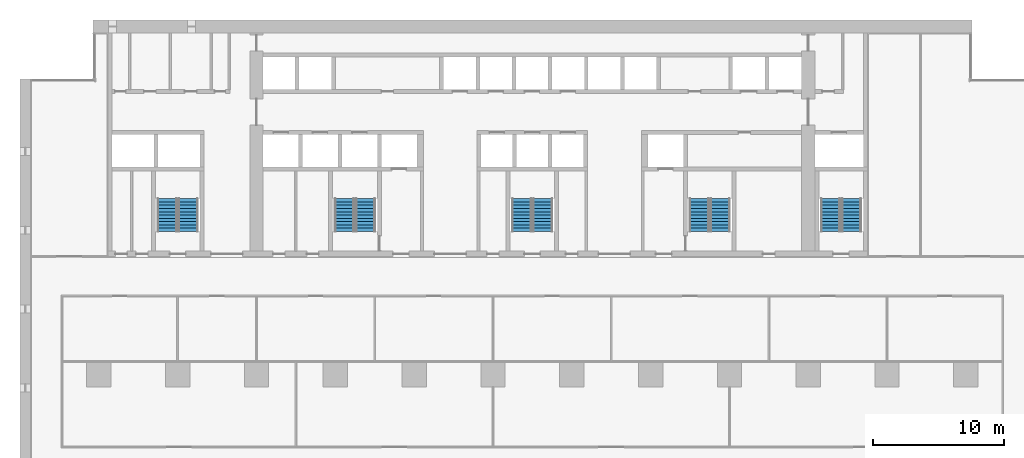
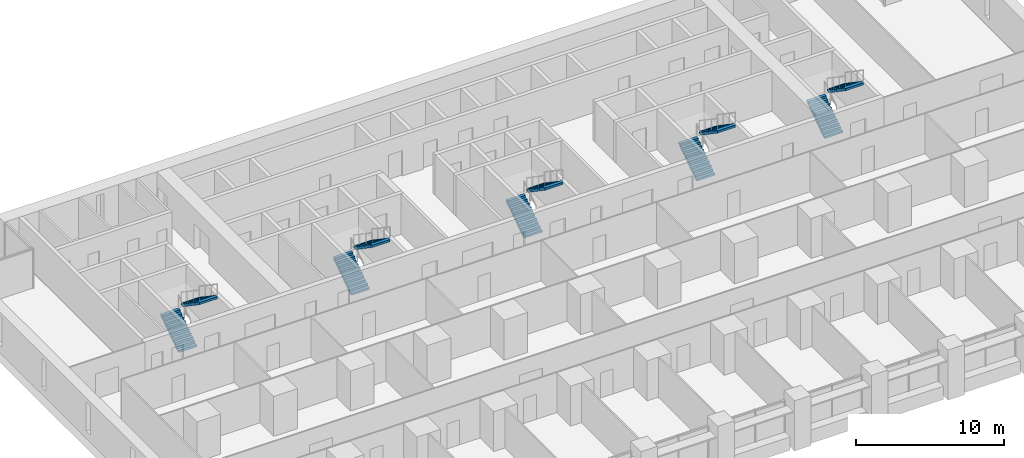
# One storey, part 14 of 18: 10 stair flights, 5 elements without a shape of their own.
"""IFC4 building model written with IfcOpenShell, lengths in metres."""

from ifc_helpers import new_model, si_unit, direction, frame, origin, place, context, subcontext, project, spatial, polyline, outline, extrude, material, type_object, element, aggregate, save


model = new_model("IFC4")

# Units and contexts
model_context = context("Model", 3, precision=1e-05, world=origin(), true_north=direction((0.0, 1.0)))
body_context = subcontext(model_context, "Body", "Model", "MODEL_VIEW")
ifc_project = project(units=[si_unit("LENGTHUNIT", "METRE"), si_unit("AREAUNIT", "SQUARE_METRE"), si_unit("VOLUMEUNIT", "CUBIC_METRE"), si_unit("PLANEANGLEUNIT", "RADIAN"), si_unit("MASSUNIT", "GRAM", prefix="KILO")], contexts=[model_context])

# Site, building, storey
site_placement = place(None, origin())
site = spatial("IfcSite", under=ifc_project, at=site_placement, CompositionType="ELEMENT")
building_placement = place(site_placement, origin())
building = spatial("IfcBuilding", under=site, at=building_placement, Name="Calvaro Tower", CompositionType="ELEMENT")
storey_placement = place(building_placement, frame((0.0, 0.0, 22.5)))
storey = spatial("IfcBuildingStorey", under=building, at=storey_placement, Name="L04", CompositionType="ELEMENT", Elevation=22.5)

# Stair, stair flights
ifc_material_1 = material(Name="Concrete C40/50", Category="concrete")
stair_type = type_object("IfcStairType", Name="Exit stair 1400 2 flights", PredefinedType="HALF_TURN_STAIR", material=ifc_material_1)
stair_1_placement = place(storey_placement, origin())
stair_1 = element("IfcStair", 1, at=stair_1_placement, inside=storey, type_object=stair_type, Name="Exit stair S1", PredefinedType="HALF_TURN_STAIR")
ifc_material_2 = material(Name="Concrete C40/50", Category="concrete")
stair_flight_type = type_object("IfcStairFlightType", Name="Stair flight", PredefinedType="STRAIGHT", material=ifc_material_2)
stair_flight_1_placement = place(storey_placement, frame((11.199951171875, 29.89990234375, 0.0), z_axis=(0.0, 0.0, 1.0), x_axis=(0.0, 1.0, 0.0)))
stair_flight_1 = element("IfcStairFlight", 2, at=stair_flight_1_placement, type_object=stair_flight_type, Name="Exit stair 1, flight 1", NumberOfRisers=11, NumberOfTreads=10, PredefinedType="STRAIGHT", RiserHeight=0.170454545, TreadLength=0.25, context=body_context, shape_type="SweptSolid", body=[
    extrude(outline(polyline([(0.0, 0.0), (0.0, 0.17041015625), (0.25, 0.17041015625), (0.25, 0.3408203125), (0.5, 0.3408203125), (0.5, 0.511474609375), (0.75, 0.511474609375), (0.75, 0.681884765625), (1.0, 0.681884765625), (1.0, 0.852294921875), (1.25, 0.852294921875), (1.25, 1.022705078125), (1.5, 1.022705078125), (1.5, 1.193115234375), (1.75, 1.193115234375), (1.75, 1.363525390625), (2.0, 1.363525390625), (2.0, 1.5341796875), (2.25, 1.5341796875), (2.25, 1.70458984375), (2.5, 1.70458984375), (2.5, 1.875), (2.5, 1.523193359375), (0.26611328125, 0.0), (0.0, 0.0)])), frame((0.0, 0.699951171875, 0.0), z_axis=(0.0, -1.0, 0.0), x_axis=(1.0, 0.0, 0.0)), (0.0, 0.0, 1.0), 1.39990234375),
])
stair_flight_2_placement = place(storey_placement, frame((12.800048828125, 32.39990234375, 1.875), z_axis=(0.0, 0.0, 1.0), x_axis=(0.0, -1.0, 0.0)))
stair_flight_2 = element("IfcStairFlight", 3, at=stair_flight_2_placement, type_object=stair_flight_type, Name="Exit stair 1, flight 2", NumberOfRisers=11, NumberOfTreads=10, PredefinedType="STRAIGHT", RiserHeight=0.170454545, TreadLength=0.25, context=body_context, shape_type="SweptSolid", body=[
    extrude(outline(polyline([(0.0, 0.0), (0.0, 0.17041015625), (0.25, 0.17041015625), (0.25, 0.3408203125), (0.5, 0.3408203125), (0.5, 0.511474609375), (0.75, 0.511474609375), (0.75, 0.681884765625), (1.0, 0.681884765625), (1.0, 0.852294921875), (1.25, 0.852294921875), (1.25, 1.022705078125), (1.5, 1.022705078125), (1.5, 1.193115234375), (1.75, 1.193115234375), (1.75, 1.363525390625), (2.0, 1.363525390625), (2.0, 1.5341796875), (2.25, 1.5341796875), (2.25, 1.70458984375), (2.5, 1.70458984375), (2.5, 1.875), (2.5, 1.523193359375), (0.26611328125, 0.0), (0.0, 0.0)])), frame((0.0, 0.699951171875, 0.0), z_axis=(0.0, -1.0, 0.0), x_axis=(1.0, 0.0, 0.0)), (0.0, 0.0, 1.0), 1.39990234375),
])
aggregate(stair_1, [stair_flight_1, stair_flight_2])

stair_2_placement = place(storey_placement, origin())
stair_2 = element("IfcStair", 4, at=stair_2_placement, inside=storey, type_object=stair_type, Name="Exit stair S2", PredefinedType="HALF_TURN_STAIR")
stair_flight_3_placement = place(storey_placement, frame((24.699951171875, 29.89990234375, 0.0), z_axis=(0.0, 0.0, 1.0), x_axis=(0.0, 1.0, 0.0)))
stair_flight_3 = element("IfcStairFlight", 5, at=stair_flight_3_placement, type_object=stair_flight_type, Name="Exit stair 2, flight 1", NumberOfRisers=11, NumberOfTreads=10, PredefinedType="STRAIGHT", RiserHeight=0.170454545, TreadLength=0.25, context=body_context, shape_type="SweptSolid", body=[
    extrude(outline(polyline([(0.0, 0.0), (0.0, 0.17041015625), (0.25, 0.17041015625), (0.25, 0.3408203125), (0.5, 0.3408203125), (0.5, 0.511474609375), (0.75, 0.511474609375), (0.75, 0.681884765625), (1.0, 0.681884765625), (1.0, 0.852294921875), (1.25, 0.852294921875), (1.25, 1.022705078125), (1.5, 1.022705078125), (1.5, 1.193115234375), (1.75, 1.193115234375), (1.75, 1.363525390625), (2.0, 1.363525390625), (2.0, 1.5341796875), (2.25, 1.5341796875), (2.25, 1.70458984375), (2.5, 1.70458984375), (2.5, 1.875), (2.5, 1.523193359375), (0.26611328125, 0.0), (0.0, 0.0)])), frame((0.0, 0.699951171875, 0.0), z_axis=(0.0, -1.0, 0.0), x_axis=(1.0, 0.0, 0.0)), (0.0, 0.0, 1.0), 1.39990234375),
])
stair_flight_4_placement = place(storey_placement, frame((26.300048828125, 32.39990234375, 1.875), z_axis=(0.0, 0.0, 1.0), x_axis=(0.0, -1.0, 0.0)))
stair_flight_4 = element("IfcStairFlight", 6, at=stair_flight_4_placement, type_object=stair_flight_type, Name="Exit stair 2, flight 2", NumberOfRisers=11, NumberOfTreads=10, PredefinedType="STRAIGHT", RiserHeight=0.170454545, TreadLength=0.25, context=body_context, shape_type="SweptSolid", body=[
    extrude(outline(polyline([(0.0, 0.0), (0.0, 0.17041015625), (0.25, 0.17041015625), (0.25, 0.3408203125), (0.5, 0.3408203125), (0.5, 0.511474609375), (0.75, 0.511474609375), (0.75, 0.681884765625), (1.0, 0.681884765625), (1.0, 0.852294921875), (1.25, 0.852294921875), (1.25, 1.022705078125), (1.5, 1.022705078125), (1.5, 1.193115234375), (1.75, 1.193115234375), (1.75, 1.363525390625), (2.0, 1.363525390625), (2.0, 1.5341796875), (2.25, 1.5341796875), (2.25, 1.70458984375), (2.5, 1.70458984375), (2.5, 1.875), (2.5, 1.523193359375), (0.26611328125, 0.0), (0.0, 0.0)])), frame((0.0, 0.699951171875, 0.0), z_axis=(0.0, -1.0, 0.0), x_axis=(1.0, 0.0, 0.0)), (0.0, 0.0, 1.0), 1.39990234375),
])
aggregate(stair_2, [stair_flight_3, stair_flight_4])

stair_3_placement = place(storey_placement, origin())
stair_3 = element("IfcStair", 7, at=stair_3_placement, inside=storey, type_object=stair_type, Name="Exit stair S3", PredefinedType="HALF_TURN_STAIR")
stair_flight_5_placement = place(storey_placement, frame((38.199951171875, 29.89990234375, 0.0), z_axis=(0.0, 0.0, 1.0), x_axis=(0.0, 1.0, 0.0)))
stair_flight_5 = element("IfcStairFlight", 8, at=stair_flight_5_placement, type_object=stair_flight_type, Name="Exit stair 3, flight 1", NumberOfRisers=11, NumberOfTreads=10, PredefinedType="STRAIGHT", RiserHeight=0.170454545, TreadLength=0.25, context=body_context, shape_type="SweptSolid", body=[
    extrude(outline(polyline([(0.0, 0.0), (0.0, 0.17041015625), (0.25, 0.17041015625), (0.25, 0.3408203125), (0.5, 0.3408203125), (0.5, 0.511474609375), (0.75, 0.511474609375), (0.75, 0.681884765625), (1.0, 0.681884765625), (1.0, 0.852294921875), (1.25, 0.852294921875), (1.25, 1.022705078125), (1.5, 1.022705078125), (1.5, 1.193115234375), (1.75, 1.193115234375), (1.75, 1.363525390625), (2.0, 1.363525390625), (2.0, 1.5341796875), (2.25, 1.5341796875), (2.25, 1.70458984375), (2.5, 1.70458984375), (2.5, 1.875), (2.5, 1.523193359375), (0.26611328125, 0.0), (0.0, 0.0)])), frame((0.0, 0.699951171875, 0.0), z_axis=(0.0, -1.0, 0.0), x_axis=(1.0, 0.0, 0.0)), (0.0, 0.0, 1.0), 1.39990234375),
])
stair_flight_6_placement = place(storey_placement, frame((39.800048828125, 32.39990234375, 1.875), z_axis=(0.0, 0.0, 1.0), x_axis=(0.0, -1.0, 0.0)))
stair_flight_6 = element("IfcStairFlight", 9, at=stair_flight_6_placement, type_object=stair_flight_type, Name="Exit stair 3, flight 2", NumberOfRisers=11, NumberOfTreads=10, PredefinedType="STRAIGHT", RiserHeight=0.170454545, TreadLength=0.25, context=body_context, shape_type="SweptSolid", body=[
    extrude(outline(polyline([(0.0, 0.0), (0.0, 0.17041015625), (0.25, 0.17041015625), (0.25, 0.3408203125), (0.5, 0.3408203125), (0.5, 0.511474609375), (0.75, 0.511474609375), (0.75, 0.681884765625), (1.0, 0.681884765625), (1.0, 0.852294921875), (1.25, 0.852294921875), (1.25, 1.022705078125), (1.5, 1.022705078125), (1.5, 1.193115234375), (1.75, 1.193115234375), (1.75, 1.363525390625), (2.0, 1.363525390625), (2.0, 1.5341796875), (2.25, 1.5341796875), (2.25, 1.70458984375), (2.5, 1.70458984375), (2.5, 1.875), (2.5, 1.523193359375), (0.26611328125, 0.0), (0.0, 0.0)])), frame((0.0, 0.699951171875, 0.0), z_axis=(0.0, -1.0, 0.0), x_axis=(1.0, 0.0, 0.0)), (0.0, 0.0, 1.0), 1.39990234375),
])
aggregate(stair_3, [stair_flight_5, stair_flight_6])

stair_4_placement = place(storey_placement, origin())
stair_4 = element("IfcStair", 10, at=stair_4_placement, inside=storey, type_object=stair_type, Name="Exit stair S4", PredefinedType="HALF_TURN_STAIR")
stair_flight_7_placement = place(storey_placement, frame((51.699951171875, 29.89990234375, 0.0), z_axis=(0.0, 0.0, 1.0), x_axis=(0.0, 1.0, 0.0)))
stair_flight_7 = element("IfcStairFlight", 11, at=stair_flight_7_placement, type_object=stair_flight_type, Name="Exit stair 4, flight 1", NumberOfRisers=11, NumberOfTreads=10, PredefinedType="STRAIGHT", RiserHeight=0.170454545, TreadLength=0.25, context=body_context, shape_type="SweptSolid", body=[
    extrude(outline(polyline([(0.0, 0.0), (0.0, 0.17041015625), (0.25, 0.17041015625), (0.25, 0.3408203125), (0.5, 0.3408203125), (0.5, 0.511474609375), (0.75, 0.511474609375), (0.75, 0.681884765625), (1.0, 0.681884765625), (1.0, 0.852294921875), (1.25, 0.852294921875), (1.25, 1.022705078125), (1.5, 1.022705078125), (1.5, 1.193115234375), (1.75, 1.193115234375), (1.75, 1.363525390625), (2.0, 1.363525390625), (2.0, 1.5341796875), (2.25, 1.5341796875), (2.25, 1.70458984375), (2.5, 1.70458984375), (2.5, 1.875), (2.5, 1.523193359375), (0.26611328125, 0.0), (0.0, 0.0)])), frame((0.0, 0.699951171875, 0.0), z_axis=(0.0, -1.0, 0.0), x_axis=(1.0, 0.0, 0.0)), (0.0, 0.0, 1.0), 1.39990234375),
])
stair_flight_8_placement = place(storey_placement, frame((53.300048828125, 32.39990234375, 1.875), z_axis=(0.0, 0.0, 1.0), x_axis=(0.0, -1.0, 0.0)))
stair_flight_8 = element("IfcStairFlight", 12, at=stair_flight_8_placement, type_object=stair_flight_type, Name="Exit stair 4, flight 2", NumberOfRisers=11, NumberOfTreads=10, PredefinedType="STRAIGHT", RiserHeight=0.170454545, TreadLength=0.25, context=body_context, shape_type="SweptSolid", body=[
    extrude(outline(polyline([(0.0, 0.0), (0.0, 0.17041015625), (0.25, 0.17041015625), (0.25, 0.3408203125), (0.5, 0.3408203125), (0.5, 0.511474609375), (0.75, 0.511474609375), (0.75, 0.681884765625), (1.0, 0.681884765625), (1.0, 0.852294921875), (1.25, 0.852294921875), (1.25, 1.022705078125), (1.5, 1.022705078125), (1.5, 1.193115234375), (1.75, 1.193115234375), (1.75, 1.363525390625), (2.0, 1.363525390625), (2.0, 1.5341796875), (2.25, 1.5341796875), (2.25, 1.70458984375), (2.5, 1.70458984375), (2.5, 1.875), (2.5, 1.523193359375), (0.26611328125, 0.0), (0.0, 0.0)])), frame((0.0, 0.699951171875, 0.0), z_axis=(0.0, -1.0, 0.0), x_axis=(1.0, 0.0, 0.0)), (0.0, 0.0, 1.0), 1.39990234375),
])
aggregate(stair_4, [stair_flight_7, stair_flight_8])

stair_5_placement = place(storey_placement, origin())
stair_5 = element("IfcStair", 13, at=stair_5_placement, inside=storey, type_object=stair_type, Name="Exit stair S5", PredefinedType="HALF_TURN_STAIR")
stair_flight_9_placement = place(storey_placement, frame((61.699951171875, 29.89990234375, 0.0), z_axis=(0.0, 0.0, 1.0), x_axis=(0.0, 1.0, 0.0)))
stair_flight_9 = element("IfcStairFlight", 14, at=stair_flight_9_placement, type_object=stair_flight_type, Name="Exit stair 5, flight 1", NumberOfRisers=11, NumberOfTreads=10, PredefinedType="STRAIGHT", RiserHeight=0.170454545, TreadLength=0.25, context=body_context, shape_type="SweptSolid", body=[
    extrude(outline(polyline([(0.0, 0.0), (0.0, 0.17041015625), (0.25, 0.17041015625), (0.25, 0.3408203125), (0.5, 0.3408203125), (0.5, 0.511474609375), (0.75, 0.511474609375), (0.75, 0.681884765625), (1.0, 0.681884765625), (1.0, 0.852294921875), (1.25, 0.852294921875), (1.25, 1.022705078125), (1.5, 1.022705078125), (1.5, 1.193115234375), (1.75, 1.193115234375), (1.75, 1.363525390625), (2.0, 1.363525390625), (2.0, 1.5341796875), (2.25, 1.5341796875), (2.25, 1.70458984375), (2.5, 1.70458984375), (2.5, 1.875), (2.5, 1.523193359375), (0.26611328125, 0.0), (0.0, 0.0)])), frame((0.0, 0.699951171875, 0.0), z_axis=(0.0, -1.0, 0.0), x_axis=(1.0, 0.0, 0.0)), (0.0, 0.0, 1.0), 1.39990234375),
])
stair_flight_10_placement = place(storey_placement, frame((63.300048828125, 32.39990234375, 1.875), z_axis=(0.0, 0.0, 1.0), x_axis=(0.0, -1.0, 0.0)))
stair_flight_10 = element("IfcStairFlight", 15, at=stair_flight_10_placement, type_object=stair_flight_type, Name="Exit stair 5, flight 2", NumberOfRisers=11, NumberOfTreads=10, PredefinedType="STRAIGHT", RiserHeight=0.170454545, TreadLength=0.25, context=body_context, shape_type="SweptSolid", body=[
    extrude(outline(polyline([(0.0, 0.0), (0.0, 0.17041015625), (0.25, 0.17041015625), (0.25, 0.3408203125), (0.5, 0.3408203125), (0.5, 0.511474609375), (0.75, 0.511474609375), (0.75, 0.681884765625), (1.0, 0.681884765625), (1.0, 0.852294921875), (1.25, 0.852294921875), (1.25, 1.022705078125), (1.5, 1.022705078125), (1.5, 1.193115234375), (1.75, 1.193115234375), (1.75, 1.363525390625), (2.0, 1.363525390625), (2.0, 1.5341796875), (2.25, 1.5341796875), (2.25, 1.70458984375), (2.5, 1.70458984375), (2.5, 1.875), (2.5, 1.523193359375), (0.26611328125, 0.0), (0.0, 0.0)])), frame((0.0, 0.699951171875, 0.0), z_axis=(0.0, -1.0, 0.0), x_axis=(1.0, 0.0, 0.0)), (0.0, 0.0, 1.0), 1.39990234375),
])
aggregate(stair_5, [stair_flight_9, stair_flight_10])

save(model, "model.ifc")
